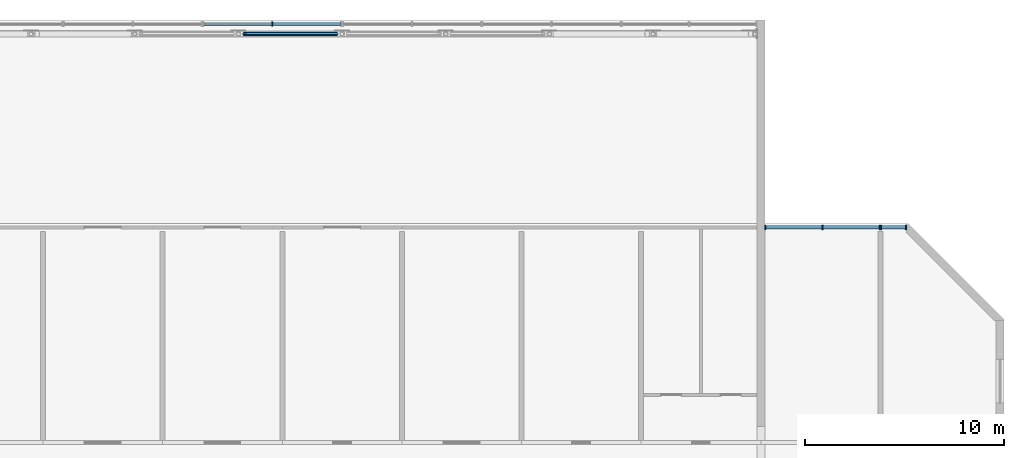
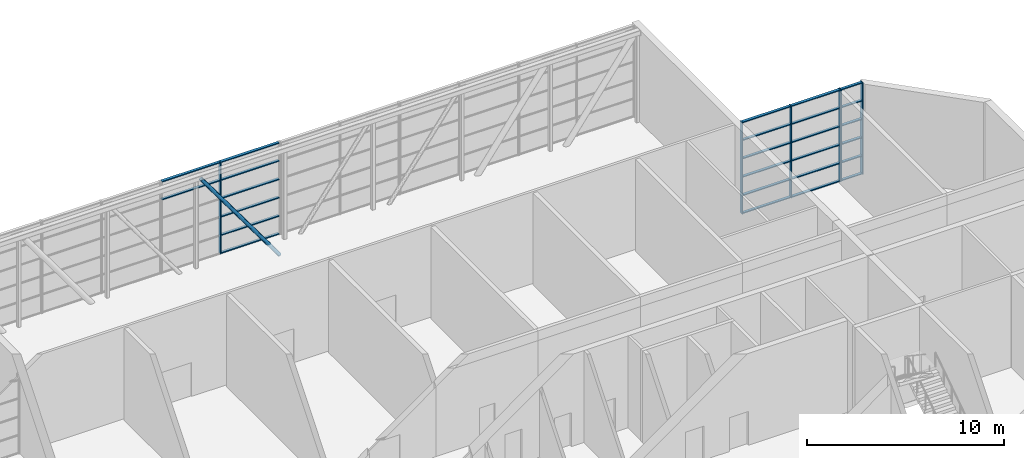
# One storey, part 3 of 17: 33 members, 3 elements without a shape of their own.
"""IFC4 building model written with IfcOpenShell, lengths in metres."""

from ifc_helpers import new_model, si_unit, direction, frame, origin, origin_2d, place, context, subcontext, project, spatial, rectangle, hollow_circle, extrude, material, layer, layer_set, material_profile, profile_set, type_object, element, aggregate, save


model = new_model("IFC4")

# Units and contexts
model_context = context("Model", 3, precision=1e-05, world=origin(), true_north=direction((0.0, 1.0)))
body_context = subcontext(model_context, "Body", "Model", "MODEL_VIEW")
ifc_project = project(units=[si_unit("LENGTHUNIT", "METRE"), si_unit("AREAUNIT", "SQUARE_METRE"), si_unit("VOLUMEUNIT", "CUBIC_METRE"), si_unit("PLANEANGLEUNIT", "RADIAN"), si_unit("MASSUNIT", "GRAM", prefix="KILO")], contexts=[model_context])

# Site, building, storey
site_placement = place(None, origin())
site = spatial("IfcSite", under=ifc_project, at=site_placement, CompositionType="ELEMENT")
building_placement = place(site_placement, origin())
building = spatial("IfcBuilding", under=site, at=building_placement, Name="Poui Terraces", CompositionType="ELEMENT")
storey_placement = place(building_placement, frame((0.0, 0.0, 261.0)))
storey = spatial("IfcBuildingStorey", under=building, at=storey_placement, Name="L73", CompositionType="ELEMENT", Elevation=261.0)

# Curtain wall, members
ifc_material_1 = material(Name="Clear glass", Category="glass")
ifc_layer = layer(ifc_material_1, 0.219970703125)
ifc_layer_set = layer_set([ifc_layer], Name="Clear glass")
curtain_wall_type = type_object("IfcCurtainWallType", Name="CURTAIN WALL CW-E SKY LOUNGE GLAZING", PredefinedType="NOTDEFINED", material=ifc_layer_set)
curtain_wall_1_placement = place(storey_placement, origin())
curtain_wall_1 = element("IfcCurtainWall", 1, at=curtain_wall_1_placement, inside=storey, type_object=curtain_wall_type, Name="CW-E SKY LOUNGE GLAZING", PredefinedType="NOTDEFINED")
ifc_material_2 = material(Name="Aluminium frame", Category="aluminium")
ifc_material_profile_1 = material_profile(ifc_material_2, rectangle(XDim=0.219970703125, YDim=0.06005859375, at=origin_2d()), Name="CW-E MULLION 60X220")
ifc_profile_set_1 = profile_set([ifc_material_profile_1], Name="Aluminium frame")
member_type_1 = type_object("IfcMemberType", Name="CW-E MULLION 60X220", PredefinedType="MULLION", material=ifc_profile_set_1)
member_1_placement = place(storey_placement, frame((77.969970703125, 41.199951171875, 0.0), z_axis=(0.0, 0.0, 1.0), x_axis=(0.0, -1.0, 0.0)))
member_1 = element("IfcMember", 2, at=member_1_placement, type_object=member_type_1, Name="CW-E mullion 1", PredefinedType="MULLION", context=body_context, shape_type="SweptSolid", body=[
    extrude(rectangle(XDim=0.219970703125, YDim=0.06005859375, at=origin_2d()), origin(), (0.0, 0.0, 1.0), 5.699951171875),
])
member_2_placement = place(storey_placement, frame((75.10009765625, 41.199951171875, 0.0), z_axis=(0.0, 0.0, 1.0), x_axis=(0.0, -1.0, 0.0)))
member_2 = element("IfcMember", 3, at=member_2_placement, type_object=member_type_1, Name="CW-E mullion 2", PredefinedType="MULLION", context=body_context, shape_type="SweptSolid", body=[
    extrude(rectangle(XDim=0.219970703125, YDim=0.06005859375, at=origin_2d()), origin(), (0.0, 0.0, 1.0), 5.699951171875),
])
member_3_placement = place(storey_placement, frame((72.22998046875, 41.199951171875, 0.0), z_axis=(0.0, 0.0, 1.0), x_axis=(0.0, -1.0, 0.0)))
member_3 = element("IfcMember", 4, at=member_3_placement, type_object=member_type_1, Name="CW-E mullion 3", PredefinedType="MULLION", context=body_context, shape_type="SweptSolid", body=[
    extrude(rectangle(XDim=0.219970703125, YDim=0.06005859375, at=origin_2d()), origin(), (0.0, 0.0, 1.0), 5.699951171875),
])

curtain_wall_2_placement = place(storey_placement, origin())
curtain_wall_2 = element("IfcCurtainWall", 5, at=curtain_wall_2_placement, inside=storey, type_object=curtain_wall_type, Name="CW-E SKY LOUNGE GLAZING", PredefinedType="NOTDEFINED")
member_4_placement = place(storey_placement, frame((79.287109375, 41.199951171875, 0.0), z_axis=(0.0, 0.0, 1.0), x_axis=(0.0, -1.0, 0.0)))
member_4 = element("IfcMember", 6, at=member_4_placement, type_object=member_type_1, Name="CW-E mullion 1", PredefinedType="MULLION", context=body_context, shape_type="SweptSolid", body=[
    extrude(rectangle(XDim=0.219970703125, YDim=0.06005859375, at=origin_2d()), origin(), (0.0, 0.0, 1.0), 5.699951171875),
])
member_5_placement = place(storey_placement, frame((78.030029296875, 41.199951171875, 0.0), z_axis=(0.0, 0.0, 1.0), x_axis=(0.0, -1.0, 0.0)))
member_5 = element("IfcMember", 7, at=member_5_placement, type_object=member_type_1, Name="CW-E mullion 2", PredefinedType="MULLION", context=body_context, shape_type="SweptSolid", body=[
    extrude(rectangle(XDim=0.219970703125, YDim=0.06005859375, at=origin_2d()), origin(), (0.0, 0.0, 1.0), 5.699951171875),
])

# Curtain wall, member
curtain_wall_3_placement = place(storey_placement, origin())
curtain_wall_3 = element("IfcCurtainWall", 8, at=curtain_wall_3_placement, inside=storey, type_object=curtain_wall_type, Name="CW-E SKY LOUNGE GLAZING", PredefinedType="NOTDEFINED")
member_6_placement = place(storey_placement, frame((47.5, 51.39990234375, 0.0), z_axis=(0.0, 0.0, 1.0), x_axis=(0.0, 1.0, 0.0)))
member_6 = element("IfcMember", 9, at=member_6_placement, type_object=member_type_1, Name="CW-E mullion 2", PredefinedType="MULLION", context=body_context, shape_type="SweptSolid", body=[
    extrude(rectangle(XDim=0.219970703125, YDim=0.06005859375, at=origin_2d()), origin(), (0.0, 0.0, 1.0), 5.699951171875),
])

# Member
ifc_material_profile_2 = material_profile(ifc_material_2, rectangle(XDim=0.159912109375, YDim=0.06005859375, at=origin_2d()), Name="CW-E TRANSOM 60X160")
ifc_profile_set_2 = profile_set([ifc_material_profile_2], Name="Aluminium frame")
member_type_2 = type_object("IfcMemberType", Name="CW-E TRANSOM 60X160", PredefinedType="USERDEFINED", material=ifc_profile_set_2)
member_7_placement = place(storey_placement, frame((77.93994140625, 41.199951171875, 0.030029296875), z_axis=(-1.0, 0.0, 0.0), x_axis=(0.0, -1.0, 0.0)))
member_7 = element("IfcMember", 10, at=member_7_placement, type_object=member_type_2, Name="CW-E transom 1.1", ObjectType="TRANSOM", PredefinedType="USERDEFINED", context=body_context, shape_type="SweptSolid", body=[
    extrude(rectangle(XDim=0.159912109375, YDim=0.06005859375, at=origin_2d()), origin(), (0.0, 0.0, 1.0), 2.81005859375),
])

member_8_placement = place(storey_placement, frame((77.93994140625, 41.199951171875, 1.139892578125), z_axis=(-1.0, 0.0, 0.0), x_axis=(0.0, -1.0, 0.0)))
member_8 = element("IfcMember", 11, at=member_8_placement, type_object=member_type_2, Name="CW-E transom 1.2", ObjectType="TRANSOM", PredefinedType="USERDEFINED", context=body_context, shape_type="SweptSolid", body=[
    extrude(rectangle(XDim=0.159912109375, YDim=0.06005859375, at=origin_2d()), origin(), (0.0, 0.0, 1.0), 2.81005859375),
])

member_9_placement = place(storey_placement, frame((77.93994140625, 41.199951171875, 2.280029296875), z_axis=(-1.0, 0.0, 0.0), x_axis=(0.0, -1.0, 0.0)))
member_9 = element("IfcMember", 12, at=member_9_placement, type_object=member_type_2, Name="CW-E transom 1.3", ObjectType="TRANSOM", PredefinedType="USERDEFINED", context=body_context, shape_type="SweptSolid", body=[
    extrude(rectangle(XDim=0.159912109375, YDim=0.06005859375, at=origin_2d()), origin(), (0.0, 0.0, 1.0), 2.81005859375),
])

member_10_placement = place(storey_placement, frame((77.93994140625, 41.199951171875, 3.419921875), z_axis=(-1.0, 0.0, 0.0), x_axis=(0.0, -1.0, 0.0)))
member_10 = element("IfcMember", 13, at=member_10_placement, type_object=member_type_2, Name="CW-E transom 1.4", ObjectType="TRANSOM", PredefinedType="USERDEFINED", context=body_context, shape_type="SweptSolid", body=[
    extrude(rectangle(XDim=0.159912109375, YDim=0.06005859375, at=origin_2d()), origin(), (0.0, 0.0, 1.0), 2.81005859375),
])

member_11_placement = place(storey_placement, frame((77.93994140625, 41.199951171875, 4.56005859375), z_axis=(-1.0, 0.0, 0.0), x_axis=(0.0, -1.0, 0.0)))
member_11 = element("IfcMember", 14, at=member_11_placement, type_object=member_type_2, Name="CW-E transom 1.5", ObjectType="TRANSOM", PredefinedType="USERDEFINED", context=body_context, shape_type="SweptSolid", body=[
    extrude(rectangle(XDim=0.159912109375, YDim=0.06005859375, at=origin_2d()), origin(), (0.0, 0.0, 1.0), 2.81005859375),
])

member_12_placement = place(storey_placement, frame((77.93994140625, 41.199951171875, 5.669921875), z_axis=(-1.0, 0.0, 0.0), x_axis=(0.0, -1.0, 0.0)))
member_12 = element("IfcMember", 15, at=member_12_placement, type_object=member_type_2, Name="CW-E transom 1.6", ObjectType="TRANSOM", PredefinedType="USERDEFINED", context=body_context, shape_type="SweptSolid", body=[
    extrude(rectangle(XDim=0.159912109375, YDim=0.06005859375, at=origin_2d()), origin(), (0.0, 0.0, 1.0), 2.81005859375),
])

member_13_placement = place(storey_placement, frame((75.070068359375, 41.199951171875, 0.030029296875), z_axis=(-1.0, 0.0, 0.0), x_axis=(0.0, -1.0, 0.0)))
member_13 = element("IfcMember", 16, at=member_13_placement, type_object=member_type_2, Name="CW-E transom 2.1", ObjectType="TRANSOM", PredefinedType="USERDEFINED", context=body_context, shape_type="SweptSolid", body=[
    extrude(rectangle(XDim=0.159912109375, YDim=0.06005859375, at=origin_2d()), origin(), (0.0, 0.0, 1.0), 2.81005859375),
])

member_14_placement = place(storey_placement, frame((75.070068359375, 41.199951171875, 1.139892578125), z_axis=(-1.0, 0.0, 0.0), x_axis=(0.0, -1.0, 0.0)))
member_14 = element("IfcMember", 17, at=member_14_placement, type_object=member_type_2, Name="CW-E transom 2.2", ObjectType="TRANSOM", PredefinedType="USERDEFINED", context=body_context, shape_type="SweptSolid", body=[
    extrude(rectangle(XDim=0.159912109375, YDim=0.06005859375, at=origin_2d()), origin(), (0.0, 0.0, 1.0), 2.81005859375),
])

member_15_placement = place(storey_placement, frame((75.070068359375, 41.199951171875, 2.280029296875), z_axis=(-1.0, 0.0, 0.0), x_axis=(0.0, -1.0, 0.0)))
member_15 = element("IfcMember", 18, at=member_15_placement, type_object=member_type_2, Name="CW-E transom 2.3", ObjectType="TRANSOM", PredefinedType="USERDEFINED", context=body_context, shape_type="SweptSolid", body=[
    extrude(rectangle(XDim=0.159912109375, YDim=0.06005859375, at=origin_2d()), origin(), (0.0, 0.0, 1.0), 2.81005859375),
])

member_16_placement = place(storey_placement, frame((75.070068359375, 41.199951171875, 3.419921875), z_axis=(-1.0, 0.0, 0.0), x_axis=(0.0, -1.0, 0.0)))
member_16 = element("IfcMember", 19, at=member_16_placement, type_object=member_type_2, Name="CW-E transom 2.4", ObjectType="TRANSOM", PredefinedType="USERDEFINED", context=body_context, shape_type="SweptSolid", body=[
    extrude(rectangle(XDim=0.159912109375, YDim=0.06005859375, at=origin_2d()), origin(), (0.0, 0.0, 1.0), 2.81005859375),
])

member_17_placement = place(storey_placement, frame((75.070068359375, 41.199951171875, 4.56005859375), z_axis=(-1.0, 0.0, 0.0), x_axis=(0.0, -1.0, 0.0)))
member_17 = element("IfcMember", 20, at=member_17_placement, type_object=member_type_2, Name="CW-E transom 2.5", ObjectType="TRANSOM", PredefinedType="USERDEFINED", context=body_context, shape_type="SweptSolid", body=[
    extrude(rectangle(XDim=0.159912109375, YDim=0.06005859375, at=origin_2d()), origin(), (0.0, 0.0, 1.0), 2.81005859375),
])

member_18_placement = place(storey_placement, frame((75.070068359375, 41.199951171875, 5.669921875), z_axis=(-1.0, 0.0, 0.0), x_axis=(0.0, -1.0, 0.0)))
member_18 = element("IfcMember", 21, at=member_18_placement, type_object=member_type_2, Name="CW-E transom 2.6", ObjectType="TRANSOM", PredefinedType="USERDEFINED", context=body_context, shape_type="SweptSolid", body=[
    extrude(rectangle(XDim=0.159912109375, YDim=0.06005859375, at=origin_2d()), origin(), (0.0, 0.0, 1.0), 2.81005859375),
])

aggregate(curtain_wall_1, [member_1, member_2, member_3, member_7, member_8, member_9, member_10, member_11, member_12, member_13, member_14, member_15, member_16, member_17, member_18])

member_19_placement = place(storey_placement, frame((79.257080078125, 41.199951171875, 0.030029296875), z_axis=(-1.0, 0.0, 0.0), x_axis=(0.0, -1.0, 0.0)))
member_19 = element("IfcMember", 22, at=member_19_placement, type_object=member_type_2, Name="CW-E transom 1.1", ObjectType="TRANSOM", PredefinedType="USERDEFINED", context=body_context, shape_type="SweptSolid", body=[
    extrude(rectangle(XDim=0.159912109375, YDim=0.06005859375, at=origin_2d()), origin(), (0.0, 0.0, 1.0), 1.197021484375),
])

member_20_placement = place(storey_placement, frame((79.257080078125, 41.199951171875, 1.139892578125), z_axis=(-1.0, 0.0, 0.0), x_axis=(0.0, -1.0, 0.0)))
member_20 = element("IfcMember", 23, at=member_20_placement, type_object=member_type_2, Name="CW-E transom 1.2", ObjectType="TRANSOM", PredefinedType="USERDEFINED", context=body_context, shape_type="SweptSolid", body=[
    extrude(rectangle(XDim=0.159912109375, YDim=0.06005859375, at=origin_2d()), origin(), (0.0, 0.0, 1.0), 1.197021484375),
])

member_21_placement = place(storey_placement, frame((79.257080078125, 41.199951171875, 2.280029296875), z_axis=(-1.0, 0.0, 0.0), x_axis=(0.0, -1.0, 0.0)))
member_21 = element("IfcMember", 24, at=member_21_placement, type_object=member_type_2, Name="CW-E transom 1.3", ObjectType="TRANSOM", PredefinedType="USERDEFINED", context=body_context, shape_type="SweptSolid", body=[
    extrude(rectangle(XDim=0.159912109375, YDim=0.06005859375, at=origin_2d()), origin(), (0.0, 0.0, 1.0), 1.197021484375),
])

member_22_placement = place(storey_placement, frame((79.257080078125, 41.199951171875, 3.419921875), z_axis=(-1.0, 0.0, 0.0), x_axis=(0.0, -1.0, 0.0)))
member_22 = element("IfcMember", 25, at=member_22_placement, type_object=member_type_2, Name="CW-E transom 1.4", ObjectType="TRANSOM", PredefinedType="USERDEFINED", context=body_context, shape_type="SweptSolid", body=[
    extrude(rectangle(XDim=0.159912109375, YDim=0.06005859375, at=origin_2d()), origin(), (0.0, 0.0, 1.0), 1.197021484375),
])

member_23_placement = place(storey_placement, frame((79.257080078125, 41.199951171875, 4.56005859375), z_axis=(-1.0, 0.0, 0.0), x_axis=(0.0, -1.0, 0.0)))
member_23 = element("IfcMember", 26, at=member_23_placement, type_object=member_type_2, Name="CW-E transom 1.5", ObjectType="TRANSOM", PredefinedType="USERDEFINED", context=body_context, shape_type="SweptSolid", body=[
    extrude(rectangle(XDim=0.159912109375, YDim=0.06005859375, at=origin_2d()), origin(), (0.0, 0.0, 1.0), 1.197021484375),
])

member_24_placement = place(storey_placement, frame((79.257080078125, 41.199951171875, 5.669921875), z_axis=(-1.0, 0.0, 0.0), x_axis=(0.0, -1.0, 0.0)))
member_24 = element("IfcMember", 27, at=member_24_placement, type_object=member_type_2, Name="CW-E transom 1.6", ObjectType="TRANSOM", PredefinedType="USERDEFINED", context=body_context, shape_type="SweptSolid", body=[
    extrude(rectangle(XDim=0.159912109375, YDim=0.06005859375, at=origin_2d()), origin(), (0.0, 0.0, 1.0), 1.197021484375),
])

aggregate(curtain_wall_2, [member_4, member_5, member_19, member_20, member_21, member_22, member_23, member_24])

member_25_placement = place(storey_placement, frame((44.06005859375, 51.39990234375, 4.56005859375), z_axis=(1.0, 0.0, 0.0), x_axis=(0.0, 1.0, 0.0)))
member_25 = element("IfcMember", 28, at=member_25_placement, type_object=member_type_2, Name="CW-E transom 1.5", ObjectType="TRANSOM", PredefinedType="USERDEFINED", context=body_context, shape_type="SweptSolid", body=[
    extrude(rectangle(XDim=0.159912109375, YDim=0.06005859375, at=origin_2d()), origin(), (0.0, 0.0, 1.0), 3.409912109375),
])

member_26_placement = place(storey_placement, frame((44.06005859375, 51.39990234375, 5.669921875), z_axis=(1.0, 0.0, 0.0), x_axis=(0.0, 1.0, 0.0)))
member_26 = element("IfcMember", 29, at=member_26_placement, type_object=member_type_2, Name="CW-E transom 1.6", ObjectType="TRANSOM", PredefinedType="USERDEFINED", context=body_context, shape_type="SweptSolid", body=[
    extrude(rectangle(XDim=0.159912109375, YDim=0.06005859375, at=origin_2d()), origin(), (0.0, 0.0, 1.0), 3.409912109375),
])

member_27_placement = place(storey_placement, frame((47.530029296875, 51.39990234375, 0.030029296875), z_axis=(1.0, 0.0, 0.0), x_axis=(0.0, 1.0, 0.0)))
member_27 = element("IfcMember", 30, at=member_27_placement, type_object=member_type_2, Name="CW-E transom 2.1", ObjectType="TRANSOM", PredefinedType="USERDEFINED", context=body_context, shape_type="SweptSolid", body=[
    extrude(rectangle(XDim=0.159912109375, YDim=0.06005859375, at=origin_2d()), origin(), (0.0, 0.0, 1.0), 3.409912109375),
])

member_28_placement = place(storey_placement, frame((47.530029296875, 51.39990234375, 1.139892578125), z_axis=(1.0, 0.0, 0.0), x_axis=(0.0, 1.0, 0.0)))
member_28 = element("IfcMember", 31, at=member_28_placement, type_object=member_type_2, Name="CW-E transom 2.2", ObjectType="TRANSOM", PredefinedType="USERDEFINED", context=body_context, shape_type="SweptSolid", body=[
    extrude(rectangle(XDim=0.159912109375, YDim=0.06005859375, at=origin_2d()), origin(), (0.0, 0.0, 1.0), 3.409912109375),
])

member_29_placement = place(storey_placement, frame((47.530029296875, 51.39990234375, 2.280029296875), z_axis=(1.0, 0.0, 0.0), x_axis=(0.0, 1.0, 0.0)))
member_29 = element("IfcMember", 32, at=member_29_placement, type_object=member_type_2, Name="CW-E transom 2.3", ObjectType="TRANSOM", PredefinedType="USERDEFINED", context=body_context, shape_type="SweptSolid", body=[
    extrude(rectangle(XDim=0.159912109375, YDim=0.06005859375, at=origin_2d()), origin(), (0.0, 0.0, 1.0), 3.409912109375),
])

member_30_placement = place(storey_placement, frame((47.530029296875, 51.39990234375, 3.419921875), z_axis=(1.0, 0.0, 0.0), x_axis=(0.0, 1.0, 0.0)))
member_30 = element("IfcMember", 33, at=member_30_placement, type_object=member_type_2, Name="CW-E transom 2.4", ObjectType="TRANSOM", PredefinedType="USERDEFINED", context=body_context, shape_type="SweptSolid", body=[
    extrude(rectangle(XDim=0.159912109375, YDim=0.06005859375, at=origin_2d()), origin(), (0.0, 0.0, 1.0), 3.409912109375),
])

member_31_placement = place(storey_placement, frame((47.530029296875, 51.39990234375, 4.56005859375), z_axis=(1.0, 0.0, 0.0), x_axis=(0.0, 1.0, 0.0)))
member_31 = element("IfcMember", 34, at=member_31_placement, type_object=member_type_2, Name="CW-E transom 2.5", ObjectType="TRANSOM", PredefinedType="USERDEFINED", context=body_context, shape_type="SweptSolid", body=[
    extrude(rectangle(XDim=0.159912109375, YDim=0.06005859375, at=origin_2d()), origin(), (0.0, 0.0, 1.0), 3.409912109375),
])

member_32_placement = place(storey_placement, frame((47.530029296875, 51.39990234375, 5.669921875), z_axis=(1.0, 0.0, 0.0), x_axis=(0.0, 1.0, 0.0)))
member_32 = element("IfcMember", 35, at=member_32_placement, type_object=member_type_2, Name="CW-E transom 2.6", ObjectType="TRANSOM", PredefinedType="USERDEFINED", context=body_context, shape_type="SweptSolid", body=[
    extrude(rectangle(XDim=0.159912109375, YDim=0.06005859375, at=origin_2d()), origin(), (0.0, 0.0, 1.0), 3.409912109375),
])

aggregate(curtain_wall_3, [member_6, member_25, member_26, member_27, member_28, member_29, member_30, member_31, member_32])

ifc_material_3 = material(Name="Steel Grade 350 MPa", Category="steel")
ifc_material_profile_3 = material_profile(ifc_material_3, hollow_circle(Radius=0.109619140625, WallThickness=0.00830078125, at=origin_2d()), Name="219.1x8.2 CHS")
ifc_profile_set_3 = profile_set([ifc_material_profile_3], Name="Steel Grade 350 MPa")
member_type_3 = type_object("IfcMemberType", Name="TIP TRUSS DIAGONAL 219.1x8.2 CHS", PredefinedType="BRACE", material=ifc_profile_set_3)
member_33_placement = place(storey_placement, frame((46.10009765625, 50.89990234375, 5.39990234375), z_axis=(0.589694804909, 0.0, -0.807626174082), x_axis=(0.0, 1.0, 0.0)))
element("IfcMember", 36, at=member_33_placement, inside=storey, type_object=member_type_3, Name="TIP TRUSS DIAGONAL 4", PredefinedType="BRACE", context=body_context, shape_type="SweptSolid", body=[
    extrude(hollow_circle(Radius=0.109619140625, WallThickness=0.00830078125, at=origin_2d()), origin(), (0.0, 0.0, 1.0), 7.80029296875),
])

save(model, "model.ifc")
